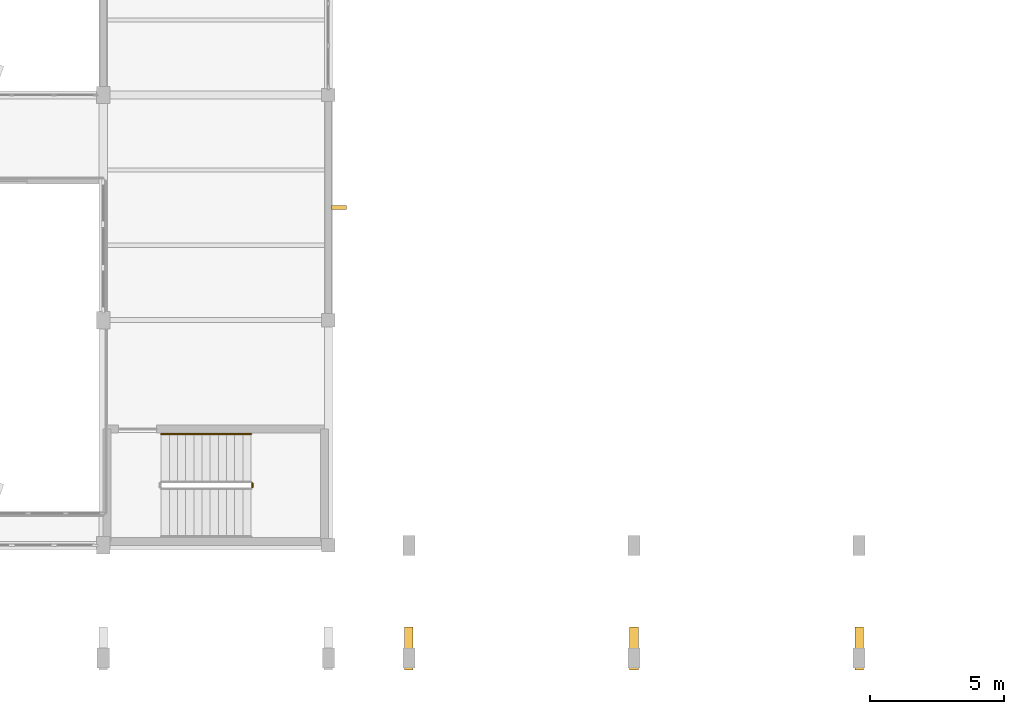
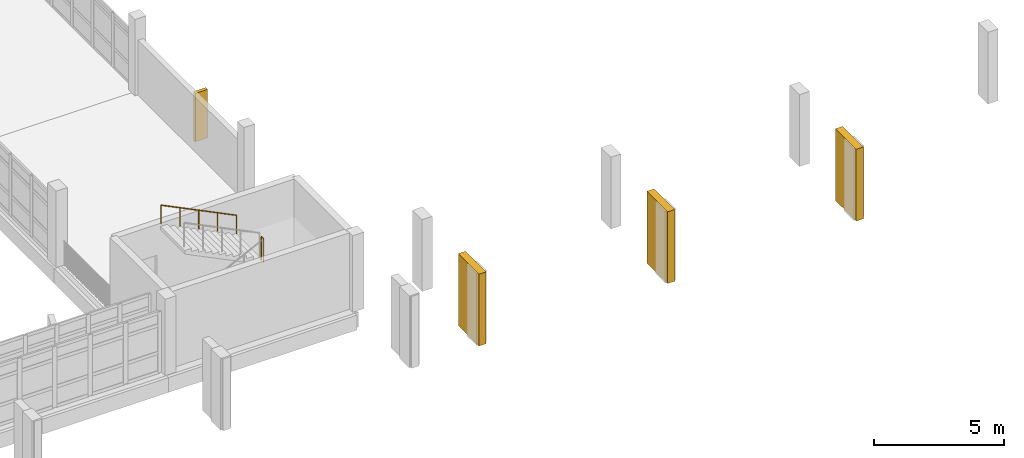
# One storey, part 78 of 104: 3 coverings, 2 railings, 1 shading device.
"""IFC4 building model written with IfcOpenShell, lengths in metres."""

from ifc_helpers import new_model, si_unit, direction, frame, origin, origin_2d, place, context, subcontext, project, spatial, rectangle, circle, extrude, material, layer, layer_set, type_object, element, save


model = new_model("IFC4")

# Units and contexts
model_context = context("Model", 3, precision=1e-05, world=origin(), true_north=direction((0.0, 1.0)))
body_context = subcontext(model_context, "Body", "Model", "MODEL_VIEW")
ifc_project = project(units=[si_unit("LENGTHUNIT", "METRE"), si_unit("AREAUNIT", "SQUARE_METRE"), si_unit("VOLUMEUNIT", "CUBIC_METRE"), si_unit("PLANEANGLEUNIT", "RADIAN"), si_unit("MASSUNIT", "GRAM", prefix="KILO")], contexts=[model_context])

# Site, building, storey
site_placement = place(None, origin())
site = spatial("IfcSite", under=ifc_project, at=site_placement, CompositionType="ELEMENT")
building_placement = place(site_placement, origin())
building = spatial("IfcBuilding", under=site, at=building_placement, Name="Vanh Quang Courtyard School", CompositionType="ELEMENT")
storey_placement = place(building_placement, frame((0.0, 0.0, 4.199951171875)))
storey = spatial("IfcBuildingStorey", under=building, at=storey_placement, Name="L01", CompositionType="ELEMENT", Elevation=4.199951171875)

# Coverings
ifc_material_1 = material(Name="Board-marked precast concrete C40/50", Category="concrete")
ifc_layer = layer(ifc_material_1, 0.239990234375)
ifc_layer_set = layer_set([ifc_layer], Name="Board-marked precast concrete C40/50")
covering_type = type_object("IfcCoveringType", Name="COV-HOOD-CONC", PredefinedType="CLADDING", material=ifc_layer_set)
for number, where, z_axis, x_axis, name in (
    (1, (40.800048828125, 0.35009765625, 0.0), (0.0, 0.0, 1.0), (0.0, 1.0, 0.0), "Covering CH-01 (L01)"),
    (2, (49.199951171875, 0.35009765625, 0.0), (0.0, 0.0, 1.0), (0.0, 1.0, 0.0), "Covering CH-01 (L01)"),
    (3, (57.60009765625, 0.35009765625, 0.0), (0.0, 0.0, 1.0), (0.0, 1.0, 0.0), "Covering CH-01 (L01)"),
):
    element("IfcCovering", number, at=place(storey_placement, frame(where, z_axis=z_axis, x_axis=x_axis)), inside=storey, type_object=covering_type, Name=name, PredefinedType="CLADDING", context=body_context, shape_type="SweptSolid", body=[
        extrude(rectangle(XDim=1.60009765625, YDim=0.320068359375, at=origin_2d()), origin(), (0.0, 0.0, 1.0), 3.3798828125),
    ])

# Railings
ifc_material_2 = material(Name="Galvanised painted steel EN 10025-2 S355J2", Category="steel")
railing_type_1 = type_object("IfcRailingType", Name="RAIL-GUARD-1150", PredefinedType="BALUSTRADE", material=ifc_material_2)
railing_1_placement = place(storey_placement, frame((34.965087890625, 6.360107421875, 1.800048828125)))
element("IfcRailing", 4, at=railing_1_placement, inside=storey, type_object=railing_type_1, Name="L01 ST-06 stair guard 2", PredefinedType="BALUSTRADE", context=body_context, shape_type="SweptSolid", body=[
    extrude(circle(Radius=0.02392578125, at=origin_2d()), frame((0.0, 0.0, 1.1259765625), z_axis=(0.0, 1.0, 0.0), x_axis=(-1.0, 0.0, 0.0)), (0.0, 0.0, 1.0), 0.159912109375),
    extrude(circle(Radius=0.02099609375, at=origin_2d()), origin(), (0.0, 0.0, 1.0), 1.101806640625),
    extrude(circle(Radius=0.02099609375, at=origin_2d()), frame((0.0, 0.159912109375, 0.0)), (0.0, 0.0, 1.0), 1.101806640625),
])
ifc_material_3 = material(Name="Brushed stainless steel", Category="steel")
railing_type_2 = type_object("IfcRailingType", Name="RAIL-HAND-900", PredefinedType="HANDRAIL", material=ifc_material_3)
railing_2_placement = place(storey_placement, frame((34.9150390625, 8.35009765625, 1.949951171875)))
element("IfcRailing", 5, at=railing_2_placement, inside=storey, type_object=railing_type_2, Name="L01 ST-06 stair handrail 2", PredefinedType="HANDRAIL", context=body_context, shape_type="SweptSolid", body=[
    extrude(circle(Radius=0.02392578125, at=origin_2d()), frame((0.0, 0.0, 0.8759765625), z_axis=(-0.89733343241, 0.0, 0.441353272424), x_axis=(0.0, -1.0, 0.0)), (0.0, 0.0, 1.0), 3.73876953125),
    extrude(circle(Radius=0.02099609375, at=origin_2d()), origin(), (0.0, 0.0, 1.0), 0.851806640625),
    extrude(circle(Radius=0.02099609375, at=origin_2d()), frame((-0.8388671875, 0.0, 0.41259765625)), (0.0, 0.0, 1.0), 0.851806640625),
    extrude(circle(Radius=0.02099609375, at=origin_2d()), frame((-1.677490234375, 0.0, 0.8251953125)), (0.0, 0.0, 1.0), 0.851806640625),
    extrude(circle(Radius=0.02099609375, at=origin_2d()), frame((-2.51611328125, 0.0, 1.237548828125)), (0.0, 0.0, 1.0), 0.851806640625),
    extrude(circle(Radius=0.02099609375, at=origin_2d()), frame((-3.35498046875, 0.0, 1.650146484375)), (0.0, 0.0, 1.0), 0.851806640625),
])

# Shading device
shading_device_type = type_object("IfcShadingDeviceType", Name="SHD-FIN-CONCRETE", PredefinedType="USERDEFINED", material=ifc_material_1)
shading_device_placement = place(storey_placement, frame((38.195068359375, 16.800048828125, 0.14990234375), z_axis=(0.0, 0.0, 1.0), x_axis=(0.0, -1.0, 0.0)))
element("IfcShadingDevice", 6, at=shading_device_placement, inside=storey, type_object=shading_device_type, Name="Solar Shading SH-02 (L01)", ObjectType="Solar Shading SH-02 (L01)", PredefinedType="USERDEFINED", context=body_context, shape_type="SweptSolid", body=[
    extrude(rectangle(XDim=0.139892578125, YDim=0.550048828125, at=origin_2d()), origin(), (0.0, 0.0, 1.0), 2.280029296875),
])

save(model, "model.ifc")
